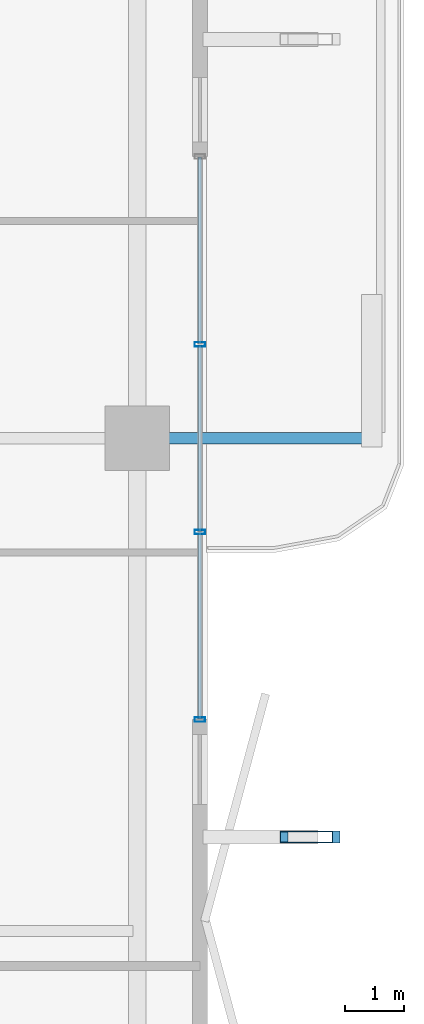
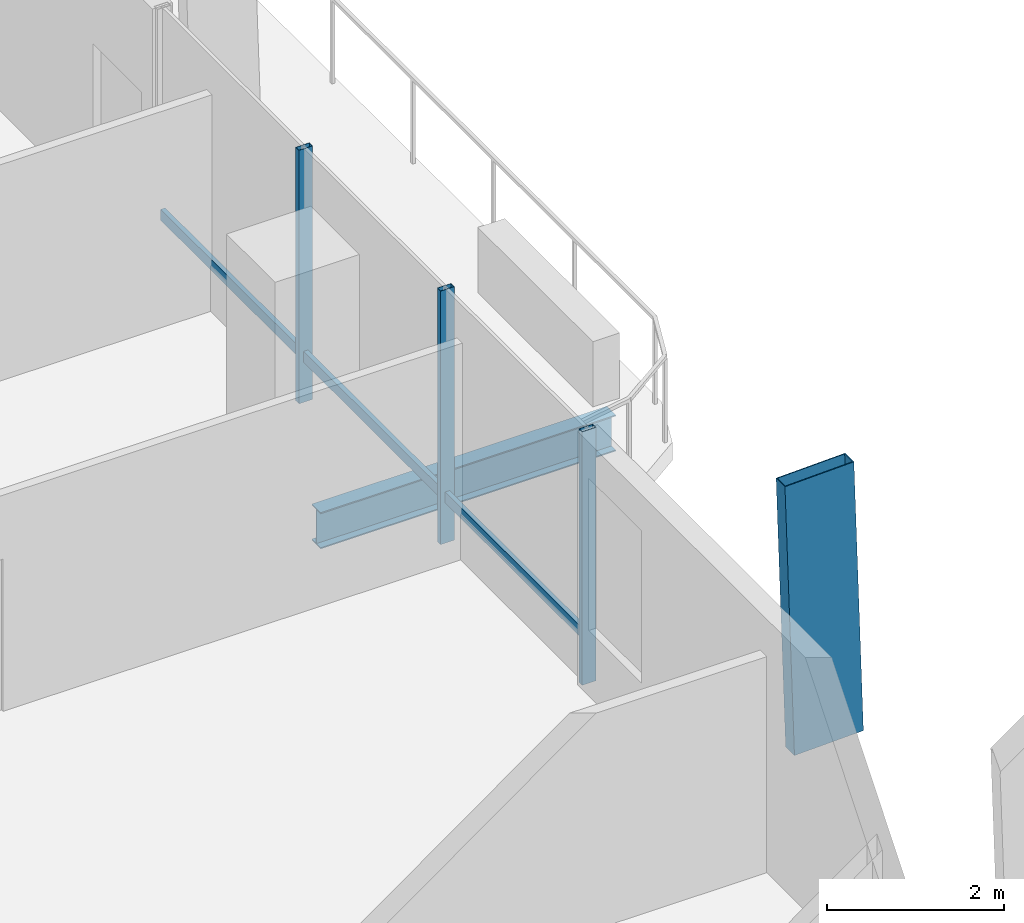
# One storey, part 10 of 25: 7 members, 1 beam, 1 element without a shape of its own.
"""IFC4 building model written with IfcOpenShell, lengths in metres."""

from ifc_helpers import new_model, si_unit, direction, frame, origin, origin_2d, place, context, subcontext, project, spatial, hollow_rectangle, i_section, extrude, material, layer, layer_set, material_profile, profile_set, type_object, element, aggregate, save


model = new_model("IFC4")

# Units and contexts
model_context = context("Model", 3, precision=1e-05, world=origin(), true_north=direction((0.0, 1.0)))
body_context = subcontext(model_context, "Body", "Model", "MODEL_VIEW")
ifc_project = project(units=[si_unit("LENGTHUNIT", "METRE"), si_unit("AREAUNIT", "SQUARE_METRE"), si_unit("VOLUMEUNIT", "CUBIC_METRE"), si_unit("PLANEANGLEUNIT", "RADIAN"), si_unit("MASSUNIT", "GRAM", prefix="KILO")], contexts=[model_context])

# Site, building, storey
site_placement = place(None, origin())
site = spatial("IfcSite", under=ifc_project, at=site_placement, CompositionType="ELEMENT")
building_placement = place(site_placement, origin())
building = spatial("IfcBuilding", under=site, at=building_placement, Name="Belovzor Exchange Tower", CompositionType="ELEMENT")
storey_placement = place(building_placement, frame((0.0, 0.0, 142.050048828125)))
storey = spatial("IfcBuildingStorey", under=building, at=storey_placement, Name="L34", CompositionType="ELEMENT", Elevation=142.050048828125)

# Beam
ifc_material_1 = material(Name="Steel S355", Category="steel")
ifc_material_profile_1 = material_profile(ifc_material_1, i_section(OverallWidth=0.199951171875, OverallDepth=0.5, WebThickness=0.01025390625, FlangeThickness=0.01611328125, at=origin_2d()))
ifc_profile_set_1 = profile_set([ifc_material_profile_1], Name="Steel S355")
beam_type = type_object("IfcBeamType", Name="Planted Balcony Cantilever Beam IPE 500", PredefinedType="BEAM", material=ifc_profile_set_1)
beam_placement = place(storey_placement, frame((52.202880859375, 28.800048828125, -0.505126953125), z_axis=(1.0, 0.0, 0.0), x_axis=(0.0, 1.0, 0.0)))
element("IfcBeam", 1, at=beam_placement, inside=storey, type_object=beam_type, Name="BC-500 Planted Balcony Cantilever Beam IPE 500", PredefinedType="BEAM", context=body_context, shape_type="SweptSolid", body=[
    extrude(i_section(OverallWidth=0.199951171875, OverallDepth=0.5, WebThickness=0.01025390625, FlangeThickness=0.01611328125, at=origin_2d()), origin(), (0.0, 0.0, 1.0), 3.85009765625),
])

# Member
ifc_material_2 = material(Name="Extruded Architectural Terracotta on Steel S355 Carrier", Category="masonry")
ifc_material_profile_2 = material_profile(ifc_material_2, hollow_rectangle(XDim=0.199951171875, YDim=0.89990234375, WallThickness=0.011962890625, at=origin_2d()))
ifc_profile_set_2 = profile_set([ifc_material_profile_2], Name="Extruded Architectural Terracotta on Steel S355 Carrier")
member_type_1 = type_object("IfcMemberType", Name="Sweeping Terracotta Baguette Fin Assembly 1250", PredefinedType="USERDEFINED", material=ifc_profile_set_2)
member_1_placement = place(storey_placement, frame((54.906982421875, 22.0, -0.255126953125), z_axis=(-0.033054843619, 0.0, 0.999453539347), x_axis=(0.0, -1.0, 0.0)))
element("IfcMember", 2, at=member_1_placement, inside=storey, type_object=member_type_1, Name="FIN-TC125 Terracotta Facade Fin L34 E2", ObjectType="FIN", PredefinedType="USERDEFINED", context=body_context, shape_type="SweptSolid", body=[
    extrude(hollow_rectangle(XDim=0.199951171875, YDim=0.89990234375, WallThickness=0.011962890625, at=origin_2d()), origin(), (0.0, 0.0, 1.0), 3.751953125),
])

# Curtain wall, members
ifc_material_3 = material(Name="Anodised Aluminium Framing", Category="aluminium")
ifc_layer = layer(ifc_material_3, 0.179931640625)
ifc_layer_set = layer_set([ifc_layer], Name="Anodised Aluminium Framing")
curtain_wall_type = type_object("IfcCurtainWallType", Name="Recessed Loggia Low-Iron Triple-Glazed Curtain Wall", PredefinedType="NOTDEFINED", material=ifc_layer_set)
curtain_wall_placement = place(storey_placement, origin())
curtain_wall = element("IfcCurtainWall", 3, at=curtain_wall_placement, inside=storey, type_object=curtain_wall_type, Name="CW3 Recessed Loggia Low-Iron Triple-Glazed Curtain Wall L34", PredefinedType="NOTDEFINED")
ifc_material_4 = material(Name="Steel S355", Category="steel")
ifc_material_profile_3 = material_profile(ifc_material_4, hollow_rectangle(XDim=0.074951171875, YDim=0.179931640625, WallThickness=0.0048828125, at=origin_2d()))
ifc_profile_set_3 = profile_set([ifc_material_profile_3], Name="Steel S355")
member_type_2 = type_object("IfcMemberType", Name="Thermally Broken Curtain Wall Mullion 180x75", PredefinedType="MULLION", material=ifc_profile_set_3)
member_2_placement = place(storey_placement, frame((52.969970703125, 30.39990234375, 0.0), z_axis=(0.0, 0.0, 1.0), x_axis=(0.0, -1.0, 0.0)))
member_2 = element("IfcMember", 4, at=member_2_placement, type_object=member_type_2, Name="CW-M180 Curtain Wall Mullion 2", PredefinedType="MULLION", context=body_context, shape_type="SweptSolid", body=[
    extrude(hollow_rectangle(XDim=0.074951171875, YDim=0.179931640625, WallThickness=0.0048828125, at=origin_2d()), origin(), (0.0, 0.0, 1.0), 3.494873046875),
])
member_3_placement = place(storey_placement, frame((52.969970703125, 27.199951171875, 0.0), z_axis=(0.0, 0.0, 1.0), x_axis=(0.0, -1.0, 0.0)))
member_3 = element("IfcMember", 5, at=member_3_placement, type_object=member_type_2, Name="CW-M180 Curtain Wall Mullion 3", PredefinedType="MULLION", context=body_context, shape_type="SweptSolid", body=[
    extrude(hollow_rectangle(XDim=0.074951171875, YDim=0.179931640625, WallThickness=0.0048828125, at=origin_2d()), origin(), (0.0, 0.0, 1.0), 3.494873046875),
])
member_4_placement = place(storey_placement, frame((52.969970703125, 24.0, 0.0), z_axis=(0.0, 0.0, 1.0), x_axis=(0.0, -1.0, 0.0)))
member_4 = element("IfcMember", 6, at=member_4_placement, type_object=member_type_2, Name="CW-M180 Curtain Wall Mullion 4", PredefinedType="MULLION", context=body_context, shape_type="SweptSolid", body=[
    extrude(hollow_rectangle(XDim=0.074951171875, YDim=0.179931640625, WallThickness=0.0048828125, at=origin_2d()), origin(), (0.0, 0.0, 1.0), 3.494873046875),
])
ifc_material_5 = material(Name="Steel S355", Category="steel")
ifc_material_profile_4 = material_profile(ifc_material_5, hollow_rectangle(XDim=0.06005859375, YDim=0.14990234375, WallThickness=0.00390625, at=origin_2d()))
ifc_profile_set_4 = profile_set([ifc_material_profile_4], Name="Steel S355")
member_type_3 = type_object("IfcMemberType", Name="Thermally Broken Curtain Wall Transom 150x60", PredefinedType="USERDEFINED", material=ifc_profile_set_4)
member_5_placement = place(storey_placement, frame((52.969970703125, 33.592041015625, 0.62890625), z_axis=(0.0, -1.0, 0.0), x_axis=(1.0, 0.0, 0.0)))
member_5 = element("IfcMember", 7, at=member_5_placement, type_object=member_type_3, Name="CW-T150 Curtain Wall Transom 1", ObjectType="TRANSOM", PredefinedType="USERDEFINED", context=body_context, shape_type="SweptSolid", body=[
    extrude(hollow_rectangle(XDim=0.06005859375, YDim=0.14990234375, WallThickness=0.00390625, at=origin_2d()), origin(), (0.0, 0.0, 1.0), 3.18408203125),
])
member_6_placement = place(storey_placement, frame((52.969970703125, 30.39208984375, 0.62890625), z_axis=(0.0, -1.0, 0.0), x_axis=(1.0, 0.0, 0.0)))
member_6 = element("IfcMember", 8, at=member_6_placement, type_object=member_type_3, Name="CW-T150 Curtain Wall Transom 2", ObjectType="TRANSOM", PredefinedType="USERDEFINED", context=body_context, shape_type="SweptSolid", body=[
    extrude(hollow_rectangle(XDim=0.06005859375, YDim=0.14990234375, WallThickness=0.00390625, at=origin_2d()), origin(), (0.0, 0.0, 1.0), 3.18408203125),
])
member_7_placement = place(storey_placement, frame((52.969970703125, 27.19189453125, 0.62890625), z_axis=(0.0, -1.0, 0.0), x_axis=(1.0, 0.0, 0.0)))
member_7 = element("IfcMember", 9, at=member_7_placement, type_object=member_type_3, Name="CW-T150 Curtain Wall Transom 3", ObjectType="TRANSOM", PredefinedType="USERDEFINED", context=body_context, shape_type="SweptSolid", body=[
    extrude(hollow_rectangle(XDim=0.06005859375, YDim=0.14990234375, WallThickness=0.00390625, at=origin_2d()), origin(), (0.0, 0.0, 1.0), 3.183837890625),
])
aggregate(curtain_wall, [member_2, member_3, member_4, member_5, member_6, member_7])

save(model, "model.ifc")
